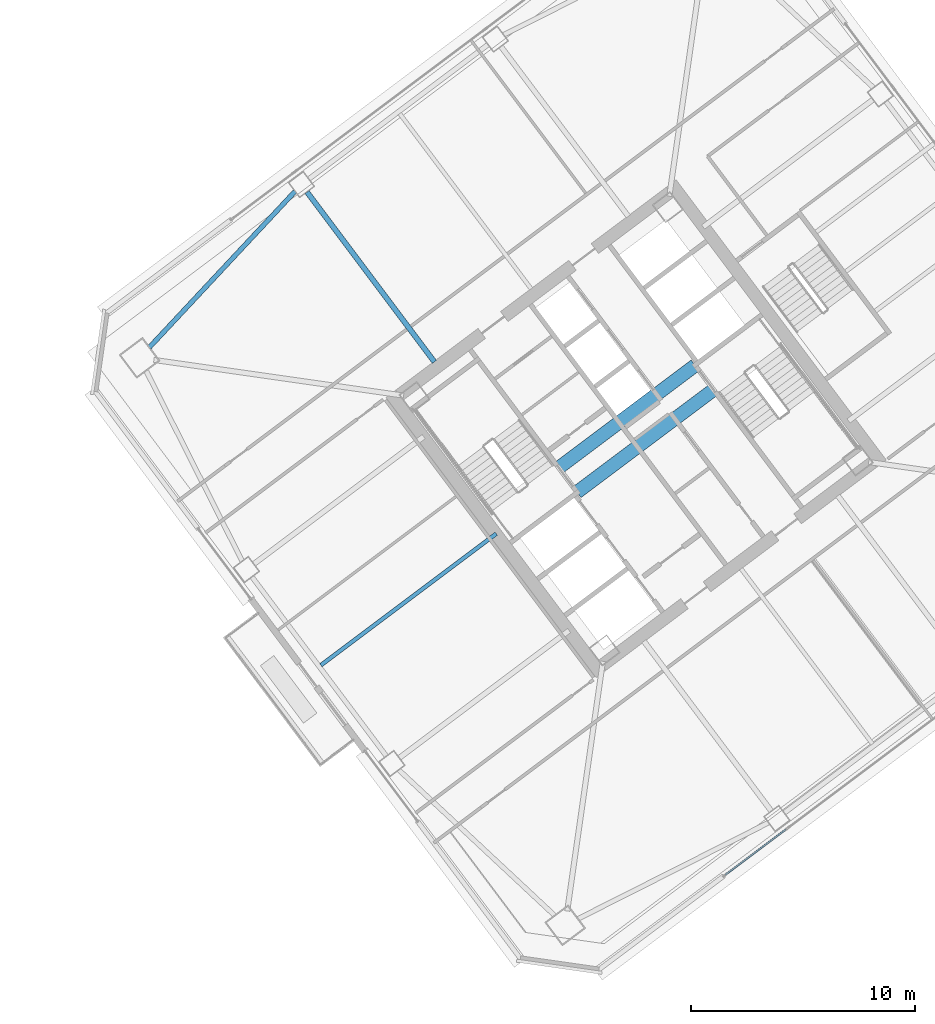
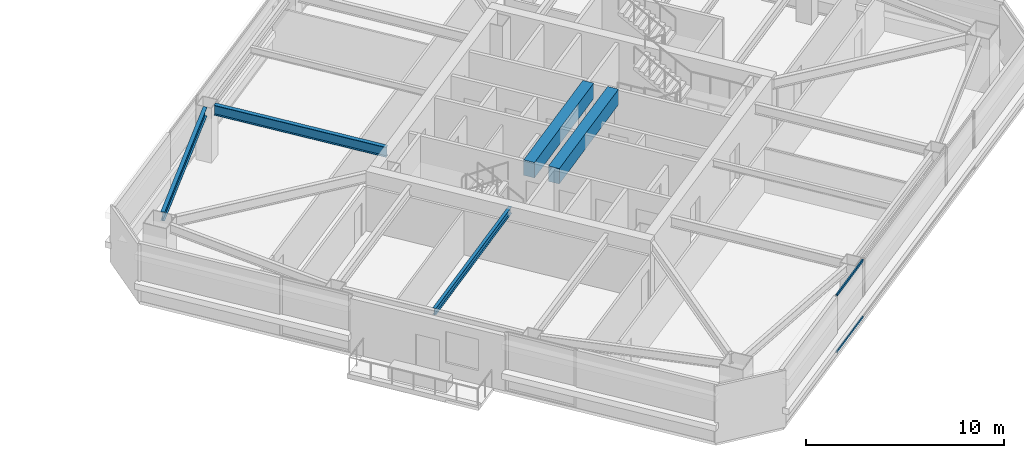
# One storey, part 21 of 40: 5 beams, 2 members, 1 element without a shape of its own.
"""IFC4 building model written with IfcOpenShell, lengths in metres."""

from ifc_helpers import new_model, si_unit, direction, frame, origin, origin_2d, place, context, subcontext, project, spatial, rectangle, hollow_rectangle, i_section, extrude, material, material_profile, profile_set, type_object, element, aggregate, save


model = new_model("IFC4")

# Units and contexts
model_context = context("Model", 3, precision=1e-05, world=origin(), true_north=direction((0.0, 1.0)))
body_context = subcontext(model_context, "Body", "Model", "MODEL_VIEW")
ifc_project = project(units=[si_unit("LENGTHUNIT", "METRE"), si_unit("AREAUNIT", "SQUARE_METRE"), si_unit("VOLUMEUNIT", "CUBIC_METRE"), si_unit("PLANEANGLEUNIT", "RADIAN"), si_unit("MASSUNIT", "GRAM", prefix="KILO")], contexts=[model_context])

# Site, building, storey
site_placement = place(None, origin())
site = spatial("IfcSite", under=ifc_project, at=site_placement, CompositionType="ELEMENT")
building_placement = place(site_placement, origin())
building = spatial("IfcBuilding", under=site, at=building_placement, Name="Tashvorn Skyway Center", CompositionType="ELEMENT")
storey_placement = place(building_placement, frame((0.0, 0.0, 142.800048828125)))
storey = spatial("IfcBuildingStorey", under=building, at=storey_placement, Name="L38", CompositionType="ELEMENT", Elevation=142.800048828125)

# Beams
ifc_material_1 = material(Name="Steel ASTM A992 Grade 50", Category="steel")
ifc_material_profile_1 = material_profile(ifc_material_1, i_section(OverallWidth=0.22998046875, OverallDepth=0.616943359375, WebThickness=0.01318359375, FlangeThickness=0.022216796875, at=origin_2d()), Name="W24X94")
ifc_profile_set_1 = profile_set([ifc_material_profile_1], Name="Steel ASTM A992 Grade 50")
beam_type_1 = type_object("IfcBeamType", Name="BM-BEAM-W24X94", PredefinedType="BEAM", material=ifc_profile_set_1)
beam_1_placement = place(storey_placement, frame((99.342041015625, 42.5439453125, 3.0615234375), z_axis=(0.599991732772, -0.800006200354, 0.0), x_axis=(0.800006200354, 0.599991732772, 0.0)))
element("IfcBeam", 1, at=beam_1_placement, inside=storey, type_object=beam_type_1, Name="Tower 2 L38 Primary Floor Girder FC-N2", PredefinedType="BEAM", context=body_context, shape_type="SweptSolid", body=[
    extrude(i_section(OverallWidth=0.22998046875, OverallDepth=0.616943359375, WebThickness=0.01318359375, FlangeThickness=0.022216796875, at=origin_2d()), origin(), (0.0, 0.0, 1.0), 9.449951171875),
])
ifc_material_profile_2 = material_profile(ifc_material_1, i_section(OverallWidth=0.177978515625, OverallDepth=0.406005859375, WebThickness=0.0078125, FlangeThickness=0.0126953125, at=origin_2d()), Name="W16X40")
ifc_profile_set_2 = profile_set([ifc_material_profile_2], Name="Steel ASTM A992 Grade 50")
beam_type_2 = type_object("IfcBeamType", Name="BM-JOIST-W16X40", PredefinedType="JOIST", material=ifc_profile_set_2)
beam_2_placement = place(storey_placement, frame((107.76806640625, 27.325927734375, 3.1669921875), z_axis=(-0.800006001881, -0.599991997409, 0.0), x_axis=(0.599991997409, -0.800006001881, 0.0)))
element("IfcBeam", 2, at=beam_2_placement, inside=storey, type_object=beam_type_2, Name="Tower 2 L38 Secondary Composite Joist JW", PredefinedType="JOIST", context=body_context, shape_type="SweptSolid", body=[
    extrude(i_section(OverallWidth=0.177978515625, OverallDepth=0.406005859375, WebThickness=0.0078125, FlangeThickness=0.0126953125, at=origin_2d()), origin(), (0.0, 0.0, 1.0), 9.762451171875),
])
ifc_material_2 = material(Name="Concrete C60/75", Category="concrete")
ifc_material_profile_3 = material_profile(ifc_material_2, rectangle(XDim=0.60009765625, YDim=0.949951171875, at=origin_2d()), Name="RCB600x950")
ifc_profile_set_3 = profile_set([ifc_material_profile_3], Name="Concrete C60/75")
beam_type_3 = type_object("IfcBeamType", Name="BM-LINTEL-RCB600x950", PredefinedType="LINTEL", material=ifc_profile_set_3)
for number, where, z_axis, x_axis, name in (
    (3, (110.552001953125, 30.263916015625, 2.89501953125), (0.8, 0.6, 0.0), (-0.6, 0.8, 0.0), "Tower 2 L38 Core Coupling Beam CN"),
    (4, (111.367919921875, 29.176025390625, 2.89501953125), (0.8, 0.6, 0.0), (-0.6, 0.8, 0.0), "Tower 2 L38 Core Coupling Beam CS"),
):
    element("IfcBeam", number, at=place(storey_placement, frame(where, z_axis=z_axis, x_axis=x_axis)), inside=storey, type_object=beam_type_3, Name=name, PredefinedType="LINTEL", context=body_context, shape_type="SweptSolid", body=[
        extrude(rectangle(XDim=0.60009765625, YDim=0.949951171875, at=origin_2d()), origin(), (0.0, 0.0, 1.0), 7.60009765625),
    ])
ifc_material_profile_4 = material_profile(ifc_material_1, i_section(OverallWidth=0.2109375, OverallDepth=0.5390625, WebThickness=0.01171875, FlangeThickness=0.018798828125, at=origin_2d()), Name="W21X73")
ifc_profile_set_4 = profile_set([ifc_material_profile_4], Name="Steel ASTM A992 Grade 50")
beam_type_4 = type_object("IfcBeamType", Name="BM-SPANDREL-W21X73", PredefinedType="SPANDREL", material=ifc_profile_set_4)
beam_3_placement = place(storey_placement, frame((98.80322265625, 42.572998046875, 3.100341796875), z_axis=(-0.682545341102, -0.730843250868, 0.0), x_axis=(0.730843250868, -0.682545341102, 0.0)))
element("IfcBeam", 5, at=beam_3_placement, inside=storey, type_object=beam_type_4, Name="Tower 2 L38 Spandrel Beam 09", PredefinedType="SPANDREL", context=body_context, shape_type="SweptSolid", body=[
    extrude(i_section(OverallWidth=0.2109375, OverallDepth=0.5390625, WebThickness=0.01171875, FlangeThickness=0.018798828125, at=origin_2d()), origin(), (0.0, 0.0, 1.0), 9.498046875),
])

# Curtain wall, members
ifc_material_3 = material(Name="Thermally broken bronze-anodized aluminium 6063-T6", Category="aluminium")
curtain_wall_type = type_object("IfcCurtainWallType", Name="CW-CW-Z3", PredefinedType="NOTDEFINED", material=ifc_material_3)
curtain_wall_placement = place(storey_placement, origin())
curtain_wall = element("IfcCurtainWall", 6, at=curtain_wall_placement, inside=storey, type_object=curtain_wall_type, Name="Tower 2 L38 South Unitised Curtain Wall Glazing Group 3", PredefinedType="NOTDEFINED")
ifc_material_profile_5 = material_profile(ifc_material_3, hollow_rectangle(XDim=0.074951171875, YDim=0.139892578125, WallThickness=0.004150390625, at=origin_2d()), Name="ALU-TRAN-75x140")
ifc_profile_set_5 = profile_set([ifc_material_profile_5], Name="Thermally broken bronze-anodized aluminium 6063-T6")
member_type = type_object("IfcMemberType", Name="CWT-CW-Z3", PredefinedType="USERDEFINED", material=ifc_profile_set_5)
member_1_placement = place(storey_placement, frame((120.67333984375, 14.155029296875, 0.037353515625), z_axis=(-0.8, -0.6, 0.0), x_axis=(0.6, -0.8, 0.0)))
member_1 = element("IfcMember", 7, at=member_1_placement, type_object=member_type, Name="CW-Z3 transom 1.1", ObjectType="TRANSOM", PredefinedType="USERDEFINED", context=body_context, shape_type="SweptSolid", body=[
    extrude(hollow_rectangle(XDim=0.074951171875, YDim=0.139892578125, WallThickness=0.004150390625, at=origin_2d()), origin(), (0.0, 0.0, 1.0), 3.37890625),
])
member_2_placement = place(storey_placement, frame((120.67333984375, 14.155029296875, 3.512451171875), z_axis=(-0.8, -0.6, 0.0), x_axis=(0.6, -0.8, 0.0)))
member_2 = element("IfcMember", 8, at=member_2_placement, type_object=member_type, Name="CW-Z3 transom 1.2", ObjectType="TRANSOM", PredefinedType="USERDEFINED", context=body_context, shape_type="SweptSolid", body=[
    extrude(hollow_rectangle(XDim=0.074951171875, YDim=0.139892578125, WallThickness=0.004150390625, at=origin_2d()), origin(), (0.0, 0.0, 1.0), 3.37890625),
])
aggregate(curtain_wall, [member_1, member_2])

save(model, "model.ifc")
